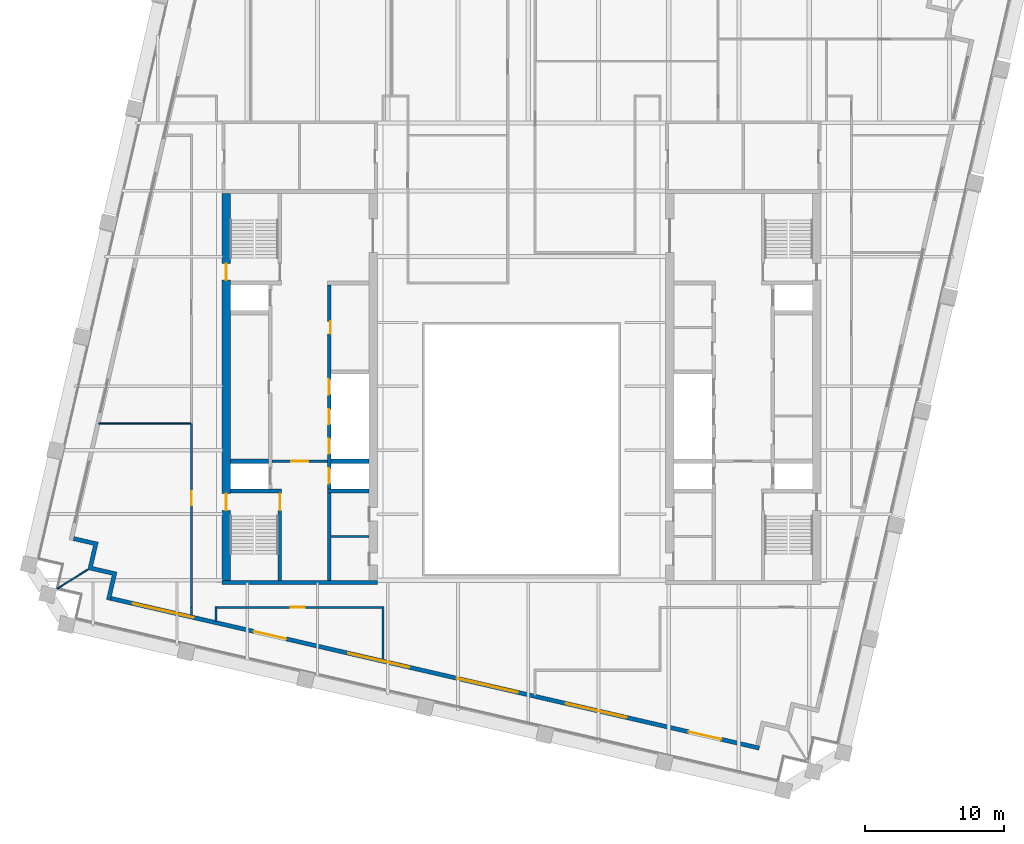
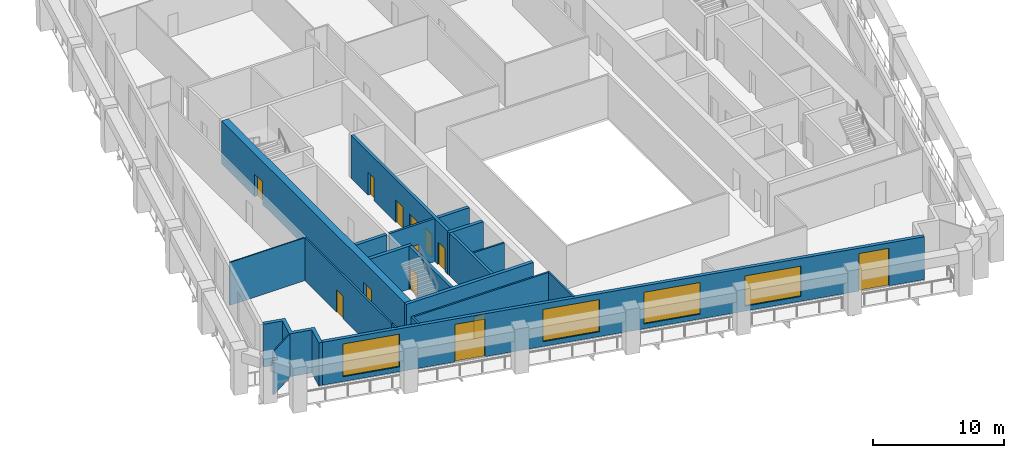
# One storey, part 3 of 9: 19 walls, 13 doors, 4 windows, 17 openings.
"""IFC4 building model written with IfcOpenShell, lengths in metres."""

from ifc_helpers import new_model, si_unit, direction, frame, frame_2d, origin, place, context, subcontext, project, spatial, polyline, rectangle, outline, extrude, material, layer, layer_set, type_object, element, fill, save


model = new_model("IFC4")

# Units and contexts
model_context = context("Model", 3, precision=1e-05, world=origin(), true_north=direction((0.0, 1.0)))
body_context = subcontext(model_context, "Body", "Model", "MODEL_VIEW")
ifc_project = project(units=[si_unit("LENGTHUNIT", "METRE"), si_unit("AREAUNIT", "SQUARE_METRE"), si_unit("VOLUMEUNIT", "CUBIC_METRE"), si_unit("PLANEANGLEUNIT", "RADIAN"), si_unit("MASSUNIT", "GRAM", prefix="KILO")], contexts=[model_context])

# Site, building, storey
site_placement = place(None, origin())
site = spatial("IfcSite", under=ifc_project, at=site_placement, CompositionType="ELEMENT")
building_placement = place(site_placement, origin())
building = spatial("IfcBuilding", under=site, at=building_placement, Name="Ogive Exchange Tower", CompositionType="ELEMENT")
storey_placement = place(building_placement, frame((0.0, 0.0, 285.0)))
storey = spatial("IfcBuildingStorey", under=building, at=storey_placement, Name="L62", CompositionType="ELEMENT", Elevation=285.0)

# Wall
ifc_material_1 = material(Name="Gypsum board partition")
ifc_layer_1 = layer(ifc_material_1, 0.14990234375)
ifc_layer_set_1 = layer_set([ifc_layer_1], Name="Core room partition 150 gypsum")
wall_type_1 = type_object("IfcWallType", Name="Core room partition 150 gypsum", PredefinedType="PARTITIONING", material=ifc_layer_set_1)
wall_1_placement = place(storey_placement, frame((-13.75, 0.699951171875, 0.0), z_axis=(0.0, 0.0, 1.0), x_axis=(1.0, 0.0, 0.0)))
element("IfcWall", 1, at=wall_1_placement, inside=storey, type_object=wall_type_1, Name="W south room partition", PredefinedType="PARTITIONING", context=body_context, shape_type="SweptSolid", body=[
    extrude(rectangle(XDim=2.75, YDim=0.14990234375, at=frame_2d((1.375, 0.0))), origin(), (0.0, 0.0, 1.0), 4.0),
])

# Wall, opening, door
ifc_material_2 = material(Name="Fire partition EI 60 150")
ifc_layer_2 = layer(ifc_material_2, 0.14990234375)
ifc_layer_set_2 = layer_set([ifc_layer_2], Name="Fire partition EI 60 150")
wall_type_2 = type_object("IfcWallType", Name="Fire partition EI 60 150", PredefinedType="PARTITIONING", material=ifc_layer_set_2)
wall_2_placement = place(storey_placement, frame((-23.800048828125, -4.39990234375, 0.0), z_axis=(0.0, 0.0, 1.0), x_axis=(0.0, 1.0, 0.0)))
wall_2 = element("IfcWall", 2, at=wall_2_placement, inside=storey, type_object=wall_type_2, Name="L62-PWL-002", PredefinedType="PARTITIONING", context=body_context, shape_type="SweptSolid", body=[
    extrude(rectangle(XDim=13.260009765625, YDim=0.14990234375, at=frame_2d((6.6298828125, 0.0))), origin(), (0.0, 0.0, 1.0), 4.0),
])
opening_1_placement = place(wall_2_placement, frame((7.360107421875, 0.0, 0.0)))
opening_1 = element("IfcOpeningElement", 3, at=opening_1_placement, cuts=wall_2, Name="Opening L62-I16", PredefinedType="OPENING", context=body_context, shape_type="SweptSolid", body=[
    extrude(rectangle(XDim=1.0, YDim=2.10009765625, at=frame_2d((0.5, 1.050048828125))), frame((0.0, 0.0849609375, 0.0), z_axis=(0.0, -1.0, 0.0), x_axis=(1.0, 0.0, 0.0)), (0.0, 0.0, 1.0), 0.169921875),
])
ifc_material_3 = material(Name="Fire door FD 30S 1000 x 2100")
door_type_1 = type_object("IfcDoorType", Name="Fire door FD 30S 1000 x 2100", OperationType="NOTDEFINED", PredefinedType="DOOR", material=ifc_material_3)
door_1_placement = place(opening_1_placement, origin())
door_1 = element("IfcDoor", 4, at=door_1_placement, inside=storey, type_object=door_type_1, Name="L62-IDR-016", ObjectType="DT3", OperationType="SINGLE_SWING_RIGHT", OverallHeight=2.10009765625, OverallWidth=1.0, PredefinedType="DOOR", context=body_context, shape_type="SweptSolid", body=[
    extrude(rectangle(XDim=1.0, YDim=2.10009765625, at=frame_2d((0.5, 1.050048828125))), frame((0.0, 0.02490234375, 0.0), z_axis=(0.0, -1.0, 0.0), x_axis=(1.0, 0.0, 0.0)), (0.0, 0.0, 1.0), 0.050048828125),
])
fill(opening_1, door_1)

# Walls
wall_3_placement = place(storey_placement, frame((-23.7900390625, -5.031982421875, 0.0), z_axis=(0.0, 0.0, 1.0), x_axis=(0.0, 1.0, 0.0)))
element("IfcWall", 5, at=wall_3_placement, inside=storey, type_object=wall_type_2, Name="L62-PWL-007", PredefinedType="PARTITIONING", context=body_context, shape_type="SweptSolid", body=[
    extrude(rectangle(XDim=0.632080078125, YDim=0.14990234375, at=frame_2d((0.31591796875, 0.0))), origin(), (0.0, 0.0, 1.0), 4.0),
])
wall_4_placement = place(storey_placement, frame((-22.030029296875, -4.324951171875, 0.0), z_axis=(0.0, 0.0, 1.0), x_axis=(0.0, -1.0, 0.0)))
element("IfcWall", 6, at=wall_4_placement, inside=storey, type_object=wall_type_2, Name="L62-PWL-009", PredefinedType="PARTITIONING", context=body_context, shape_type="SweptSolid", body=[
    extrude(rectangle(XDim=1.113037109375, YDim=0.14990234375, at=frame_2d((0.556640625, 0.0))), origin(), (0.0, 0.0, 1.0), 4.0),
])
wall_5_placement = place(storey_placement, frame((-10.0, -8.216064453125, 0.0), z_axis=(0.0, 0.0, 1.0), x_axis=(0.0, 1.0, 0.0)))
element("IfcWall", 7, at=wall_5_placement, inside=storey, type_object=wall_type_2, Name="L62-PWL-013", PredefinedType="PARTITIONING", context=body_context, shape_type="SweptSolid", body=[
    extrude(rectangle(XDim=3.89111328125, YDim=0.14990234375, at=frame_2d((1.945556640625, 0.0))), origin(), (0.0, 0.0, 1.0), 4.0),
])

# Wall, opening, door
wall_6_placement = place(storey_placement, frame((-10.074951171875, -4.39990234375, 0.0), z_axis=(0.0, 0.0, 1.0), x_axis=(-1.0, 0.0, 0.0)))
wall_6 = element("IfcWall", 8, at=wall_6_placement, inside=storey, type_object=wall_type_2, Name="L62-PWL-014", PredefinedType="PARTITIONING", context=body_context, shape_type="SweptSolid", body=[
    extrude(rectangle(XDim=11.880126953125, YDim=0.14990234375, at=frame_2d((5.93994140625, 0.0))), origin(), (0.0, 0.0, 1.0), 4.0),
])
opening_2_placement = place(wall_6_placement, frame((5.554931640625, 0.0, 0.0)))
opening_2 = element("IfcOpeningElement", 9, at=opening_2_placement, cuts=wall_6, Name="Opening L62-I15", PredefinedType="OPENING", context=body_context, shape_type="SweptSolid", body=[
    extrude(rectangle(XDim=1.0, YDim=2.10009765625, at=frame_2d((0.5, 1.050048828125))), frame((0.0, 0.0849609375, 0.0), z_axis=(0.0, -1.0, 0.0), x_axis=(1.0, 0.0, 0.0)), (0.0, 0.0, 1.0), 0.169921875),
])
door_2_placement = place(opening_2_placement, origin())
door_2 = element("IfcDoor", 10, at=door_2_placement, inside=storey, type_object=door_type_1, Name="L62-IDR-015", ObjectType="DT3", OperationType="SINGLE_SWING_RIGHT", OverallHeight=2.10009765625, OverallWidth=1.0, PredefinedType="DOOR", context=body_context, shape_type="SweptSolid", body=[
    extrude(rectangle(XDim=1.0, YDim=2.10009765625, at=frame_2d((0.5, 1.050048828125))), frame((0.0, 0.02490234375, 0.0), z_axis=(0.0, -1.0, 0.0), x_axis=(1.0, 0.0, 0.0)), (0.0, 0.0, 1.0), 0.050048828125),
])
fill(opening_2, door_2)

# Wall, openings, doors, windows
ifc_material_4 = material(Name="Precast concrete C40/50", Category="concrete")
ifc_layer_3 = layer(ifc_material_4, 0.300048828125)
ifc_layer_set_3 = layer_set([ifc_layer_3], Name="Limestone-faced wall 300")
wall_type_3 = type_object("IfcWallType", Name="Limestone-faced wall 300", PredefinedType="STANDARD", material=ifc_layer_set_3)
wall_7_placement = place(storey_placement, frame((-29.6162109375, -3.75830078125, 0.0), z_axis=(0.0, 0.0, 1.0), x_axis=(0.974370532314, -0.224949029246, 0.0)))
wall_7 = element("IfcWall", 11, at=wall_7_placement, inside=storey, type_object=wall_type_3, Name="External wall S1", PredefinedType="STANDARD", context=body_context, shape_type="SweptSolid", body=[
    extrude(rectangle(XDim=48.000244140625, YDim=0.300048828125, at=frame_2d((24.0, 0.0))), origin(), (0.0, 0.0, 1.0), 4.0),
])
opening_3_placement = place(wall_7_placement, frame((1.625, 0.0, 0.449951171875)))
opening_3 = element("IfcOpeningElement", 12, at=opening_3_placement, cuts=wall_7, Name="Opening W1", PredefinedType="OPENING", context=body_context, shape_type="SweptSolid", body=[
    extrude(rectangle(XDim=4.5, YDim=3.050048828125, at=frame_2d((2.25, 1.52490234375))), frame((0.0, 0.159912109375, 0.0), z_axis=(0.0, -1.0, 0.0), x_axis=(1.0, 0.0, 0.0)), (0.0, 0.0, 1.0), 0.320068359375),
])
opening_4_placement = place(wall_7_placement, frame((10.574951171875, 0.0, 0.0)))
opening_4 = element("IfcOpeningElement", 13, at=opening_4_placement, cuts=wall_7, Name="Opening D1", PredefinedType="OPENING", context=body_context, shape_type="SweptSolid", body=[
    extrude(rectangle(XDim=2.39990234375, YDim=3.5, at=frame_2d((1.199951171875, 1.75))), frame((0.0, 0.159912109375, 0.0), z_axis=(0.0, -1.0, 0.0), x_axis=(1.0, 0.0, 0.0)), (0.0, 0.0, 1.0), 0.320068359375),
])
opening_5_placement = place(wall_7_placement, frame((17.574951171875, 0.0, 0.449951171875)))
opening_5 = element("IfcOpeningElement", 14, at=opening_5_placement, cuts=wall_7, Name="Opening W1A", PredefinedType="OPENING", context=body_context, shape_type="SweptSolid", body=[
    extrude(rectangle(XDim=4.5, YDim=3.0, at=frame_2d((2.25, 1.5))), frame((0.0, 0.159912109375, 0.0), z_axis=(0.0, -1.0, 0.0), x_axis=(1.0, 0.0, 0.0)), (0.0, 0.0, 1.0), 0.320068359375),
])
opening_6_placement = place(wall_7_placement, frame((25.625, 0.0, 0.449951171875)))
opening_6 = element("IfcOpeningElement", 15, at=opening_6_placement, cuts=wall_7, Name="Opening W1B", PredefinedType="OPENING", context=body_context, shape_type="SweptSolid", body=[
    extrude(rectangle(XDim=4.5, YDim=2.949951171875, at=frame_2d((2.25, 1.47509765625))), frame((0.0, 0.159912109375, 0.0), z_axis=(0.0, -1.0, 0.0), x_axis=(1.0, 0.0, 0.0)), (0.0, 0.0, 1.0), 0.320068359375),
])
opening_7_placement = place(wall_7_placement, frame((33.675048828125, 0.0, 0.449951171875)))
opening_7 = element("IfcOpeningElement", 16, at=opening_7_placement, cuts=wall_7, Name="Opening W1E", PredefinedType="OPENING", context=body_context, shape_type="SweptSolid", body=[
    extrude(rectangle(XDim=4.5, YDim=2.824951171875, at=frame_2d((2.25, 1.41259765625))), frame((0.0, 0.159912109375, 0.0), z_axis=(0.0, -1.0, 0.0), x_axis=(1.0, 0.0, 0.0)), (0.0, 0.0, 1.0), 0.320068359375),
])
opening_8_placement = place(wall_7_placement, frame((42.77490234375, 0.0, 0.0)))
opening_8 = element("IfcOpeningElement", 17, at=opening_8_placement, cuts=wall_7, Name="Opening D1", PredefinedType="OPENING", context=body_context, shape_type="SweptSolid", body=[
    extrude(rectangle(XDim=2.39990234375, YDim=3.5, at=frame_2d((1.199951171875, 1.75))), frame((0.0, 0.159912109375, 0.0), z_axis=(0.0, -1.0, 0.0), x_axis=(1.0, 0.0, 0.0)), (0.0, 0.0, 1.0), 0.320068359375),
])
ifc_material_5 = material(Name="Clear glass in bronze frame", Category="glass")
door_type_2 = type_object("IfcDoorType", Name="Sliding loggia door 2400 x 3500", OperationType="DOUBLE_DOOR_SLIDING", PredefinedType="DOOR", material=ifc_material_5)
door_3_placement = place(opening_4_placement, origin())
door_3 = element("IfcDoor", 18, at=door_3_placement, inside=storey, type_object=door_type_2, Name="Loggia door S01", OperationType="DOUBLE_DOOR_SLIDING", OverallHeight=3.5, OverallWidth=2.39990234375, PredefinedType="DOOR", context=body_context, shape_type="SweptSolid", body=[
    extrude(rectangle(XDim=2.39990234375, YDim=3.5, at=frame_2d((1.199951171875, 1.75))), frame((0.0, 0.02490234375, 0.0), z_axis=(0.0, -1.0, 0.0), x_axis=(1.0, 0.0, 0.0)), (0.0, 0.0, 1.0), 0.050048828125),
])
fill(opening_4, door_3)
door_4_placement = place(opening_8_placement, origin())
door_4 = element("IfcDoor", 19, at=door_4_placement, inside=storey, type_object=door_type_2, Name="Loggia door S05", OperationType="DOUBLE_DOOR_SLIDING", OverallHeight=3.5, OverallWidth=2.39990234375, PredefinedType="DOOR", context=body_context, shape_type="SweptSolid", body=[
    extrude(rectangle(XDim=2.39990234375, YDim=3.5, at=frame_2d((1.199951171875, 1.75))), frame((0.0, 0.02490234375, 0.0), z_axis=(0.0, -1.0, 0.0), x_axis=(1.0, 0.0, 0.0)), (0.0, 0.0, 1.0), 0.050048828125),
])
fill(opening_8, door_4)
window_type_1 = type_object("IfcWindowType", Name="Twin lancet window 4500 x 2825", PartitioningType="DOUBLE_PANEL_VERTICAL", PredefinedType="WINDOW", material=ifc_material_5)
window_1_placement = place(opening_7_placement, origin())
window_1 = element("IfcWindow", 20, at=window_1_placement, inside=storey, type_object=window_type_1, Name="Window S04", OverallHeight=2.824951171875, OverallWidth=4.5, PartitioningType="DOUBLE_PANEL_VERTICAL", PredefinedType="WINDOW", context=body_context, shape_type="SweptSolid", body=[
    extrude(rectangle(XDim=4.5, YDim=2.824951171875, at=frame_2d((2.25, 1.41259765625))), frame((0.0, 0.030029296875, 0.0), z_axis=(0.0, -1.0, 0.0), x_axis=(1.0, 0.0, 0.0)), (0.0, 0.0, 1.0), 0.06005859375),
])
fill(opening_7, window_1)
window_type_2 = type_object("IfcWindowType", Name="Twin lancet window 4500 x 2950", PartitioningType="DOUBLE_PANEL_VERTICAL", PredefinedType="WINDOW", material=ifc_material_5)
window_2_placement = place(opening_6_placement, origin())
window_2 = element("IfcWindow", 21, at=window_2_placement, inside=storey, type_object=window_type_2, Name="Window S03", OverallHeight=2.949951171875, OverallWidth=4.5, PartitioningType="DOUBLE_PANEL_VERTICAL", PredefinedType="WINDOW", context=body_context, shape_type="SweptSolid", body=[
    extrude(rectangle(XDim=4.5, YDim=2.949951171875, at=frame_2d((2.25, 1.47509765625))), frame((0.0, 0.030029296875, 0.0), z_axis=(0.0, -1.0, 0.0), x_axis=(1.0, 0.0, 0.0)), (0.0, 0.0, 1.0), 0.06005859375),
])
fill(opening_6, window_2)
window_type_3 = type_object("IfcWindowType", Name="Twin lancet window 4500 x 3000", PartitioningType="DOUBLE_PANEL_VERTICAL", PredefinedType="WINDOW", material=ifc_material_5)
window_3_placement = place(opening_5_placement, origin())
window_3 = element("IfcWindow", 22, at=window_3_placement, inside=storey, type_object=window_type_3, Name="Window S02", OverallHeight=3.0, OverallWidth=4.5, PartitioningType="DOUBLE_PANEL_VERTICAL", PredefinedType="WINDOW", context=body_context, shape_type="SweptSolid", body=[
    extrude(rectangle(XDim=4.5, YDim=3.0, at=frame_2d((2.25, 1.5))), frame((0.0, 0.030029296875, 0.0), z_axis=(0.0, -1.0, 0.0), x_axis=(1.0, 0.0, 0.0)), (0.0, 0.0, 1.0), 0.06005859375),
])
fill(opening_5, window_3)
window_type_4 = type_object("IfcWindowType", Name="Twin lancet window 4500 x 3050", PartitioningType="DOUBLE_PANEL_VERTICAL", PredefinedType="WINDOW", material=ifc_material_5)
window_4_placement = place(opening_3_placement, origin())
window_4 = element("IfcWindow", 23, at=window_4_placement, inside=storey, type_object=window_type_4, Name="Window S00", OverallHeight=3.050048828125, OverallWidth=4.5, PartitioningType="DOUBLE_PANEL_VERTICAL", PredefinedType="WINDOW", context=body_context, shape_type="SweptSolid", body=[
    extrude(rectangle(XDim=4.5, YDim=3.050048828125, at=frame_2d((2.25, 1.52490234375))), frame((0.0, 0.030029296875, 0.0), z_axis=(0.0, -1.0, 0.0), x_axis=(1.0, 0.0, 0.0)), (0.0, 0.0, 1.0), 0.06005859375),
])
fill(opening_3, window_4)

# Walls
wall_8_placement = place(storey_placement, origin())
element("IfcWall", 24, at=wall_8_placement, inside=storey, type_object=wall_type_3, Name="External corner wall C4", PredefinedType="STANDARD", context=body_context, shape_type="SweptSolid", body=[
    extrude(outline(polyline([(-31.291015625, -1.67822265625), (-30.88623046875, 0.07568359375), (-32.34765625, 0.4130859375), (-32.2802734375, 0.705322265625), (-30.5263671875, 0.300537109375), (-30.931396484375, -1.453369140625), (-29.177490234375, -1.8583984375), (-29.64990234375, -3.904541015625), (-29.942138671875, -3.8369140625), (-29.537109375, -2.0830078125), (-31.291015625, -1.67822265625)])), origin(), (0.0, 0.0, 1.0), 4.0),
])
ifc_material_6 = material(Name="Laminated safety glass in steel frame", Category="steel")
ifc_layer_4 = layer(ifc_material_6, 0.10009765625)
ifc_layer_set_4 = layer_set([ifc_layer_4], Name="Loggia end screen 100")
wall_type_4 = type_object("IfcWallType", Name="Loggia end screen 100", PredefinedType="STANDARD", material=ifc_layer_set_4)
wall_9_placement = place(storey_placement, frame((-31.291015625, -1.67822265625, -0.050048828125), z_axis=(0.0, 0.0, 1.0), x_axis=(-0.84807753525, -0.529872148923, 0.0)))
element("IfcWall", 25, at=wall_9_placement, inside=storey, type_object=wall_type_4, Name="Loggia end screen C4", PredefinedType="STANDARD", context=body_context, shape_type="SweptSolid", body=[
    extrude(rectangle(XDim=2.596435546875, YDim=0.10009765625, at=frame_2d((1.29833984375, 0.0))), origin(), (0.0, 0.0, 1.0), 4.050048828125),
])
ifc_material_7 = material(Name="Partition 100 gypsum")
ifc_layer_5 = layer(ifc_material_7, 0.10009765625)
ifc_layer_set_5 = layer_set([ifc_layer_5], Name="Partition 100 gypsum")
wall_type_5 = type_object("IfcWallType", Name="Partition 100 gypsum", PredefinedType="PARTITIONING", material=ifc_layer_set_5)
wall_10_placement = place(storey_placement, frame((-23.875, 8.860107421875, 0.0), z_axis=(0.0, 0.0, 1.0), x_axis=(-1.0, 0.0, 0.0)))
element("IfcWall", 26, at=wall_10_placement, inside=storey, type_object=wall_type_5, Name="L62-PWL-003", PredefinedType="PARTITIONING", context=body_context, shape_type="SweptSolid", body=[
    extrude(rectangle(XDim=6.60498046875, YDim=0.10009765625, at=frame_2d((3.302490234375, 0.0))), origin(), (0.0, 0.0, 1.0), 4.0),
])

# Wall, opening, door
ifc_material_8 = material(Name="Concrete C70/85", Category="concrete")
ifc_layer_6 = layer(ifc_material_8, 0.199951171875)
ifc_layer_set_6 = layer_set([ifc_layer_6], Name="RC core wall 200 C70/85")
wall_type_6 = type_object("IfcWallType", Name="RC core wall 200 C70/85", PredefinedType="SHEAR", material=ifc_layer_set_6)
wall_11_placement = place(storey_placement, frame((-18.0, 6.142822265625, 0.0), z_axis=(0.0, 0.0, 1.0), x_axis=(1.0, 0.0, 0.0)))
wall_11 = element("IfcWall", 27, at=wall_11_placement, inside=storey, type_object=wall_type_6, Name="W firefighting lobby wall", PredefinedType="SHEAR", context=body_context, shape_type="SweptSolid", body=[
    extrude(rectangle(XDim=4.0, YDim=0.199951171875, at=frame_2d((2.0, 0.0))), origin(), (0.0, 0.0, 1.0), 4.0),
])
opening_9_placement = place(wall_11_placement, frame((1.39990234375, 0.0, 0.0)))
opening_9 = element("IfcOpeningElement", 28, at=opening_9_placement, cuts=wall_11, Name="Opening L62-C09", PredefinedType="OPENING", context=body_context, shape_type="SweptSolid", body=[
    extrude(rectangle(XDim=1.199951171875, YDim=2.10009765625, at=frame_2d((0.60009765625, 1.050048828125))), frame((0.0, 0.10986328125, 0.0), z_axis=(0.0, -1.0, 0.0), x_axis=(1.0, 0.0, 0.0)), (0.0, 0.0, 1.0), 0.219970703125),
])
ifc_material_9 = material(Name="Steel fire door", Category="steel")
door_type_3 = type_object("IfcDoorType", Name="Firefighting lobby door FD60 1200 x 2100", OperationType="NOTDEFINED", PredefinedType="DOOR", material=ifc_material_9)
door_5_placement = place(opening_9_placement, frame((1.199951171875, 0.0, 0.0), z_axis=(0.0, 0.0, 1.0), x_axis=(-1.0, 0.0, 0.0)))
door_5 = element("IfcDoor", 29, at=door_5_placement, inside=storey, type_object=door_type_3, Name="Firefighting lobby door", ObjectType="CD3", OperationType="SINGLE_SWING_LEFT", OverallHeight=2.10009765625, OverallWidth=1.199951171875, PredefinedType="DOOR", context=body_context, shape_type="SweptSolid", body=[
    extrude(rectangle(XDim=1.199951171875, YDim=2.10009765625, at=frame_2d((0.60009765625, 1.050048828125))), frame((0.0, 0.02490234375, 0.0), z_axis=(0.0, -1.0, 0.0), x_axis=(1.0, 0.0, 0.0)), (0.0, 0.0, 1.0), 0.050048828125),
])
fill(opening_9, door_5)

ifc_layer_7 = layer(ifc_material_8, 0.25)
ifc_layer_set_7 = layer_set([ifc_layer_7], Name="RC core wall 250 C70/85")
wall_type_7 = type_object("IfcWallType", Name="RC core wall 250 C70/85", PredefinedType="SHEAR", material=ifc_layer_set_7)
wall_12_placement = place(storey_placement, frame((-17.425048828125, -2.449951171875, 0.0), z_axis=(0.0, 0.0, 1.0), x_axis=(0.0, 1.0, 0.0)))
wall_12 = element("IfcWall", 30, at=wall_12_placement, inside=storey, type_object=wall_type_7, Name="W stair S front wall", PredefinedType="SHEAR", context=body_context, shape_type="SweptSolid", body=[
    extrude(rectangle(XDim=6.300048828125, YDim=0.25, at=frame_2d((3.14990234375, 0.0))), origin(), (0.0, 0.0, 1.0), 4.0),
])
opening_10_placement = place(wall_12_placement, frame((5.050048828125, 0.0, 0.0)))
opening_10 = element("IfcOpeningElement", 31, at=opening_10_placement, cuts=wall_12, Name="Opening L62-C11", PredefinedType="OPENING", context=body_context, shape_type="SweptSolid", body=[
    extrude(rectangle(XDim=1.199951171875, YDim=2.10009765625, at=frame_2d((0.60009765625, 1.050048828125))), frame((0.0, 0.135009765625, 0.0), z_axis=(0.0, -1.0, 0.0), x_axis=(1.0, 0.0, 0.0)), (0.0, 0.0, 1.0), 0.27001953125),
])
door_type_4 = type_object("IfcDoorType", Name="Stair door FD90 1200 x 2100", OperationType="NOTDEFINED", PredefinedType="DOOR", material=ifc_material_9)
door_6_placement = place(opening_10_placement, origin())
door_6 = element("IfcDoor", 32, at=door_6_placement, inside=storey, type_object=door_type_4, Name="Stair door", ObjectType="CD5", OperationType="SINGLE_SWING_LEFT", OverallHeight=2.10009765625, OverallWidth=1.199951171875, PredefinedType="DOOR", context=body_context, shape_type="SweptSolid", body=[
    extrude(rectangle(XDim=1.199951171875, YDim=2.10009765625, at=frame_2d((0.60009765625, 1.050048828125))), frame((0.0, 0.02490234375, 0.0), z_axis=(0.0, -1.0, 0.0), x_axis=(1.0, 0.0, 0.0)), (0.0, 0.0, 1.0), 0.050048828125),
])
fill(opening_10, door_6)

# Wall, openings, doors
wall_13_placement = place(storey_placement, frame((-13.875, -2.449951171875, 0.0), z_axis=(0.0, 0.0, 1.0), x_axis=(0.0, 1.0, 0.0)))
wall_13 = element("IfcWall", 33, at=wall_13_placement, inside=storey, type_object=wall_type_7, Name="W row B front wall", PredefinedType="SHEAR", context=body_context, shape_type="SweptSolid", body=[
    extrude(rectangle(XDim=21.300048828125, YDim=0.25, at=frame_2d((10.64990234375, 0.0))), origin(), (0.0, 0.0, 1.0), 4.0),
])
opening_11_placement = place(wall_13_placement, frame((17.78564453125, 0.0, 0.0)))
opening_11 = element("IfcOpeningElement", 34, at=opening_11_placement, cuts=wall_13, Name="Opening L62-C04", PredefinedType="OPENING", context=body_context, shape_type="SweptSolid", body=[
    extrude(rectangle(XDim=0.89990234375, YDim=2.10009765625, at=frame_2d((0.449951171875, 1.050048828125))), frame((0.0, 0.135009765625, 0.0), z_axis=(0.0, -1.0, 0.0), x_axis=(1.0, 0.0, 0.0)), (0.0, 0.0, 1.0), 0.27001953125),
])
opening_12_placement = place(wall_13_placement, frame((6.971435546875, 0.0, 0.0)))
opening_12 = element("IfcOpeningElement", 35, at=opening_12_placement, cuts=wall_13, Name="Opening L62-C05", PredefinedType="OPENING", context=body_context, shape_type="SweptSolid", body=[
    extrude(rectangle(XDim=1.10009765625, YDim=2.10009765625, at=frame_2d((0.550048828125, 1.050048828125))), frame((0.0, 0.135009765625, 0.0), z_axis=(0.0, -1.0, 0.0), x_axis=(1.0, 0.0, 0.0)), (0.0, 0.0, 1.0), 0.27001953125),
])
opening_13_placement = place(wall_13_placement, frame((9.1142578125, 0.0, 0.0)))
opening_13 = element("IfcOpeningElement", 36, at=opening_13_placement, cuts=wall_13, Name="Opening L62-C06", PredefinedType="OPENING", context=body_context, shape_type="SweptSolid", body=[
    extrude(rectangle(XDim=1.10009765625, YDim=2.10009765625, at=frame_2d((0.550048828125, 1.050048828125))), frame((0.0, 0.135009765625, 0.0), z_axis=(0.0, -1.0, 0.0), x_axis=(1.0, 0.0, 0.0)), (0.0, 0.0, 1.0), 0.27001953125),
])
opening_14_placement = place(wall_13_placement, frame((11.257080078125, 0.0, 0.0)))
opening_14 = element("IfcOpeningElement", 37, at=opening_14_placement, cuts=wall_13, Name="Opening L62-C07", PredefinedType="OPENING", context=body_context, shape_type="SweptSolid", body=[
    extrude(rectangle(XDim=1.10009765625, YDim=2.10009765625, at=frame_2d((0.550048828125, 1.050048828125))), frame((0.0, 0.135009765625, 0.0), z_axis=(0.0, -1.0, 0.0), x_axis=(1.0, 0.0, 0.0)), (0.0, 0.0, 1.0), 0.27001953125),
])
opening_15_placement = place(wall_13_placement, frame((13.39990234375, 0.0, 0.0)))
opening_15 = element("IfcOpeningElement", 38, at=opening_15_placement, cuts=wall_13, Name="Opening L62-C08", PredefinedType="OPENING", context=body_context, shape_type="SweptSolid", body=[
    extrude(rectangle(XDim=1.10009765625, YDim=2.10009765625, at=frame_2d((0.550048828125, 1.050048828125))), frame((0.0, 0.135009765625, 0.0), z_axis=(0.0, -1.0, 0.0), x_axis=(1.0, 0.0, 0.0)), (0.0, 0.0, 1.0), 0.27001953125),
])
ifc_material_10 = material(Name="Stainless steel", Category="steel")
door_type_5 = type_object("IfcDoorType", Name="Lift landing door FD90 1100 x 2100", OperationType="SLIDING_TO_LEFT", PredefinedType="DOOR", material=ifc_material_10)
door_7_placement = place(opening_12_placement, origin())
door_7 = element("IfcDoor", 39, at=door_7_placement, inside=storey, type_object=door_type_5, Name="Lift landing door SV1", ObjectType="LD", OperationType="SLIDING_TO_LEFT", OverallHeight=2.10009765625, OverallWidth=1.10009765625, PredefinedType="DOOR", context=body_context, shape_type="SweptSolid", body=[
    extrude(rectangle(XDim=1.10009765625, YDim=2.10009765625, at=frame_2d((0.550048828125, 1.050048828125))), frame((0.0, 0.02490234375, 0.0), z_axis=(0.0, -1.0, 0.0), x_axis=(1.0, 0.0, 0.0)), (0.0, 0.0, 1.0), 0.050048828125),
])
fill(opening_12, door_7)
door_8_placement = place(opening_13_placement, origin())
door_8 = element("IfcDoor", 40, at=door_8_placement, inside=storey, type_object=door_type_5, Name="Lift landing door W-M1", ObjectType="LD", OperationType="SLIDING_TO_LEFT", OverallHeight=2.10009765625, OverallWidth=1.10009765625, PredefinedType="DOOR", context=body_context, shape_type="SweptSolid", body=[
    extrude(rectangle(XDim=1.10009765625, YDim=2.10009765625, at=frame_2d((0.550048828125, 1.050048828125))), frame((0.0, 0.02490234375, 0.0), z_axis=(0.0, -1.0, 0.0), x_axis=(1.0, 0.0, 0.0)), (0.0, 0.0, 1.0), 0.050048828125),
])
fill(opening_13, door_8)
door_9_placement = place(opening_14_placement, origin())
door_9 = element("IfcDoor", 41, at=door_9_placement, inside=storey, type_object=door_type_5, Name="Lift landing door W-M2", ObjectType="LD", OperationType="SLIDING_TO_LEFT", OverallHeight=2.10009765625, OverallWidth=1.10009765625, PredefinedType="DOOR", context=body_context, shape_type="SweptSolid", body=[
    extrude(rectangle(XDim=1.10009765625, YDim=2.10009765625, at=frame_2d((0.550048828125, 1.050048828125))), frame((0.0, 0.02490234375, 0.0), z_axis=(0.0, -1.0, 0.0), x_axis=(1.0, 0.0, 0.0)), (0.0, 0.0, 1.0), 0.050048828125),
])
fill(opening_14, door_9)
door_10_placement = place(opening_15_placement, origin())
door_10 = element("IfcDoor", 42, at=door_10_placement, inside=storey, type_object=door_type_5, Name="Lift landing door W-M3", ObjectType="LD", OperationType="SLIDING_TO_LEFT", OverallHeight=2.10009765625, OverallWidth=1.10009765625, PredefinedType="DOOR", context=body_context, shape_type="SweptSolid", body=[
    extrude(rectangle(XDim=1.10009765625, YDim=2.10009765625, at=frame_2d((0.550048828125, 1.050048828125))), frame((0.0, 0.02490234375, 0.0), z_axis=(0.0, -1.0, 0.0), x_axis=(1.0, 0.0, 0.0)), (0.0, 0.0, 1.0), 0.050048828125),
])
fill(opening_15, door_10)
door_type_6 = type_object("IfcDoorType", Name="Riser door FD60 900 x 2100", OperationType="NOTDEFINED", PredefinedType="DOOR", material=ifc_material_9)
door_11_placement = place(opening_11_placement, frame((0.89990234375, -0.2001953125, 0.0), z_axis=(0.0, 0.0, 1.0), x_axis=(-1.0, 0.0, 0.0)))
door_11 = element("IfcDoor", 43, at=door_11_placement, inside=storey, type_object=door_type_6, Name="Riser door", ObjectType="CD2", OperationType="SINGLE_SWING_RIGHT", OverallHeight=2.10009765625, OverallWidth=0.89990234375, PredefinedType="DOOR", context=body_context, shape_type="SweptSolid", body=[
    extrude(rectangle(XDim=0.89990234375, YDim=2.10009765625, at=frame_2d((0.449951171875, 1.050048828125))), frame((0.0, -0.0751953125, 0.0), z_axis=(0.0, -1.0, 0.0), x_axis=(1.0, 0.0, 0.0)), (0.0, 0.0, 1.0), 0.050048828125),
])
fill(opening_11, door_11)

# Walls
ifc_layer_8 = layer(ifc_material_8, 0.300048828125)
ifc_layer_set_8 = layer_set([ifc_layer_8], Name="RC core wall 300 C70/85")
wall_type_8 = type_object("IfcWallType", Name="RC core wall 300 C70/85", PredefinedType="SHEAR", material=ifc_layer_set_8)
wall_14_placement = place(storey_placement, frame((-21.60009765625, -2.60009765625, 0.0), z_axis=(0.0, 0.0, 1.0), x_axis=(1.0, 0.0, 0.0)))
element("IfcWall", 44, at=wall_14_placement, inside=storey, type_object=wall_type_8, Name="W south end wall", PredefinedType="SHEAR", context=body_context, shape_type="SweptSolid", body=[
    extrude(rectangle(XDim=11.2001953125, YDim=0.300048828125, at=frame_2d((5.60009765625, 0.0))), origin(), (0.0, 0.0, 1.0), 4.0),
])
wall_15_placement = place(storey_placement, frame((-21.0, 4.0, 0.0), z_axis=(0.0, 0.0, 1.0), x_axis=(1.0, 0.0, 0.0)))
element("IfcWall", 45, at=wall_15_placement, inside=storey, type_object=wall_type_8, Name="W stair S north wall", PredefinedType="SHEAR", context=body_context, shape_type="SweptSolid", body=[
    extrude(rectangle(XDim=3.699951171875, YDim=0.300048828125, at=frame_2d((1.85009765625, 0.0))), origin(), (0.0, 0.0, 1.0), 4.0),
])
wall_16_placement = place(storey_placement, frame((-21.0, 6.142822265625, 0.0), z_axis=(0.0, 0.0, 1.0), x_axis=(1.0, 0.0, 0.0)))
element("IfcWall", 46, at=wall_16_placement, inside=storey, type_object=wall_type_8, Name="W row A divider 1", PredefinedType="SHEAR", context=body_context, shape_type="SweptSolid", body=[
    extrude(rectangle(XDim=2.75, YDim=0.300048828125, at=frame_2d((1.375, 0.0))), origin(), (0.0, 0.0, 1.0), 4.0),
])
wall_17_placement = place(storey_placement, frame((-14.0, 4.0, 0.0), z_axis=(0.0, 0.0, 1.0), x_axis=(1.0, 0.0, 0.0)))
element("IfcWall", 47, at=wall_17_placement, inside=storey, type_object=wall_type_8, Name="W row B divider 0", PredefinedType="SHEAR", context=body_context, shape_type="SweptSolid", body=[
    extrude(rectangle(XDim=3.0, YDim=0.300048828125, at=frame_2d((1.5, 0.0))), origin(), (0.0, 0.0, 1.0), 4.0),
])
wall_18_placement = place(storey_placement, frame((-13.75, 6.142822265625, 0.0), z_axis=(0.0, 0.0, 1.0), x_axis=(1.0, 0.0, 0.0)))
element("IfcWall", 48, at=wall_18_placement, inside=storey, type_object=wall_type_8, Name="W row B divider 1", PredefinedType="SHEAR", context=body_context, shape_type="SweptSolid", body=[
    extrude(rectangle(XDim=2.75, YDim=0.300048828125, at=frame_2d((1.375, 0.0))), origin(), (0.0, 0.0, 1.0), 4.0),
])

# Wall, openings, doors
ifc_layer_9 = layer(ifc_material_8, 0.60009765625)
ifc_layer_set_9 = layer_set([ifc_layer_9], Name="RC core wall 600 C70/85")
wall_type_9 = type_object("IfcWallType", Name="RC core wall 600 C70/85", PredefinedType="SHEAR", material=ifc_layer_set_9)
wall_19_placement = place(storey_placement, frame((-21.300048828125, -2.449951171875, 0.0), z_axis=(0.0, 0.0, 1.0), x_axis=(0.0, 1.0, 0.0)))
wall_19 = element("IfcWall", 49, at=wall_19_placement, inside=storey, type_object=wall_type_9, Name="W outer wall", PredefinedType="SHEAR", context=body_context, shape_type="SweptSolid", body=[
    extrude(rectangle(XDim=27.89990234375, YDim=0.60009765625, at=frame_2d((13.949951171875, 0.0))), origin(), (0.0, 0.0, 1.0), 4.0),
])
opening_16_placement = place(wall_19_placement, frame((5.050048828125, 0.0, 0.0)))
opening_16 = element("IfcOpeningElement", 50, at=opening_16_placement, cuts=wall_19, Name="Opening L62-C12", PredefinedType="OPENING", context=body_context, shape_type="SweptSolid", body=[
    extrude(rectangle(XDim=1.199951171875, YDim=2.10009765625, at=frame_2d((0.60009765625, 1.050048828125))), frame((0.0, 0.31005859375, 0.0), z_axis=(0.0, -1.0, 0.0), x_axis=(1.0, 0.0, 0.0)), (0.0, 0.0, 1.0), 0.6201171875),
])
opening_17_placement = place(wall_19_placement, frame((21.64990234375, 0.0, 0.0)))
opening_17 = element("IfcOpeningElement", 51, at=opening_17_placement, cuts=wall_19, Name="Opening L62-C14", PredefinedType="OPENING", context=body_context, shape_type="SweptSolid", body=[
    extrude(rectangle(XDim=1.199951171875, YDim=2.10009765625, at=frame_2d((0.60009765625, 1.050048828125))), frame((0.0, 0.31005859375, 0.0), z_axis=(0.0, -1.0, 0.0), x_axis=(1.0, 0.0, 0.0)), (0.0, 0.0, 1.0), 0.6201171875),
])
door_12_placement = place(opening_16_placement, origin())
door_12 = element("IfcDoor", 52, at=door_12_placement, inside=storey, type_object=door_type_4, Name="Stair door", ObjectType="CD5", OperationType="SINGLE_SWING_LEFT", OverallHeight=2.10009765625, OverallWidth=1.199951171875, PredefinedType="DOOR", context=body_context, shape_type="SweptSolid", body=[
    extrude(rectangle(XDim=1.199951171875, YDim=2.10009765625, at=frame_2d((0.60009765625, 1.050048828125))), frame((0.0, 0.02490234375, 0.0), z_axis=(0.0, -1.0, 0.0), x_axis=(1.0, 0.0, 0.0)), (0.0, 0.0, 1.0), 0.050048828125),
])
fill(opening_16, door_12)
door_13_placement = place(opening_17_placement, origin())
door_13 = element("IfcDoor", 53, at=door_13_placement, inside=storey, type_object=door_type_4, Name="Stair door", ObjectType="CD5", OperationType="SINGLE_SWING_RIGHT", OverallHeight=2.10009765625, OverallWidth=1.199951171875, PredefinedType="DOOR", context=body_context, shape_type="SweptSolid", body=[
    extrude(rectangle(XDim=1.199951171875, YDim=2.10009765625, at=frame_2d((0.60009765625, 1.050048828125))), frame((0.0, 0.02490234375, 0.0), z_axis=(0.0, -1.0, 0.0), x_axis=(1.0, 0.0, 0.0)), (0.0, 0.0, 1.0), 0.050048828125),
])
fill(opening_17, door_13)

save(model, "model.ifc")
